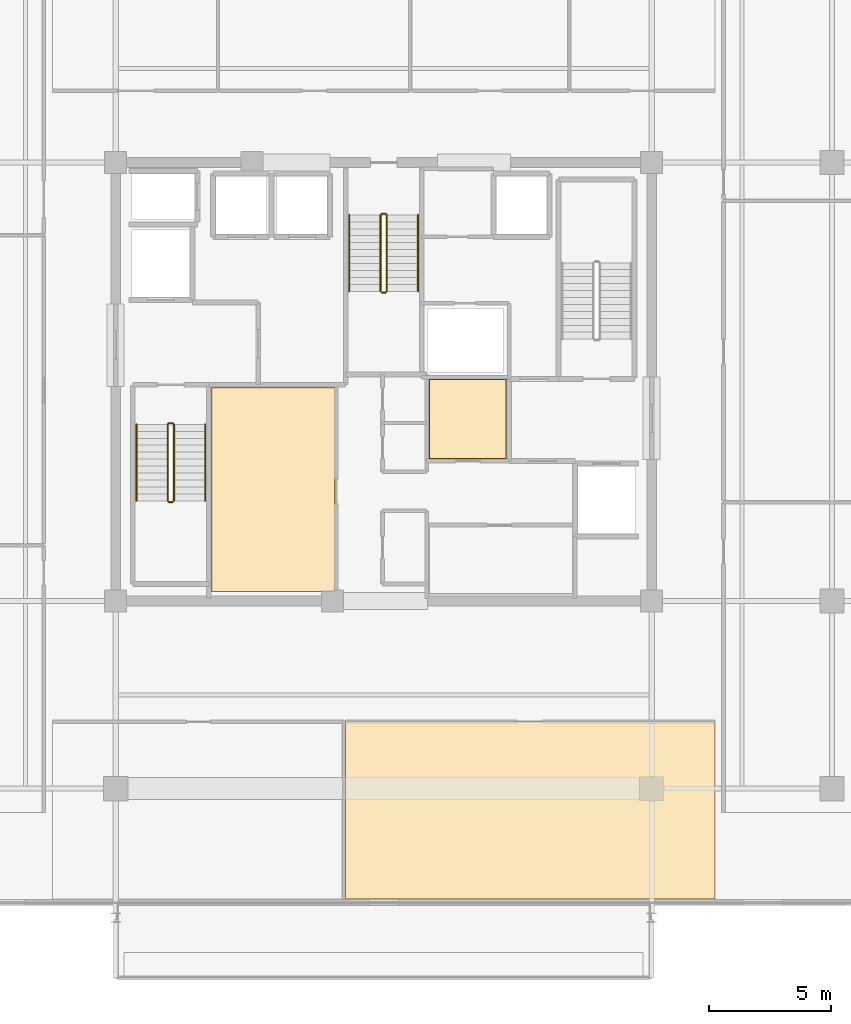
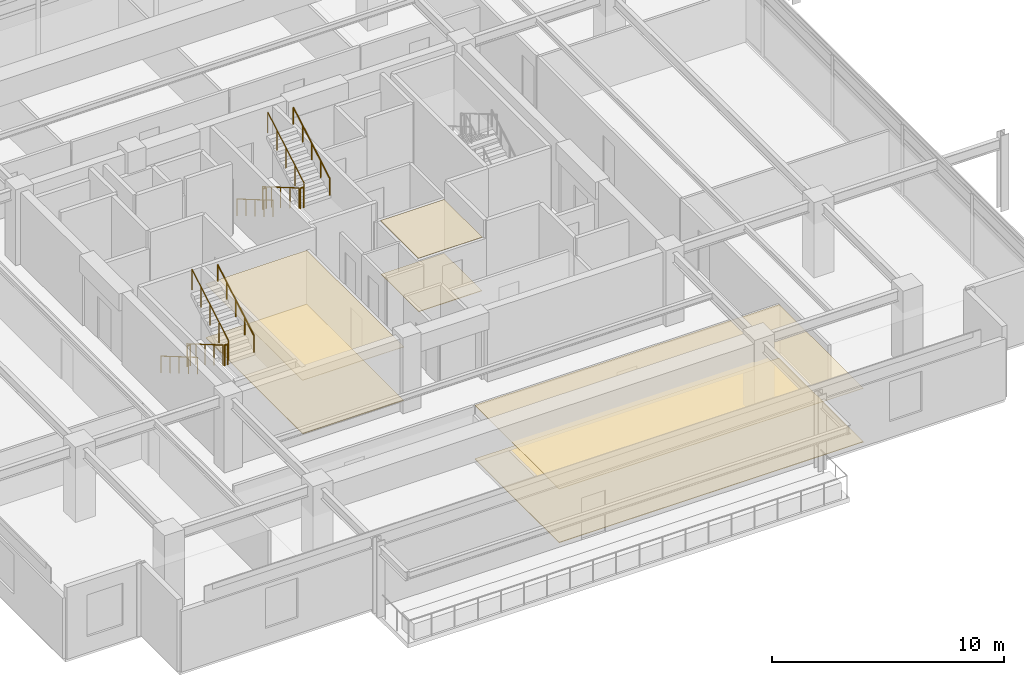
# One storey, part 19 of 21: 12 railings, 6 coverings.
"""IFC4 building model written with IfcOpenShell, lengths in metres."""

from ifc_helpers import new_model, si_unit, direction, frame, origin, origin_2d, place, context, subcontext, project, spatial, polyline, circle, outline, extrude, material, layer, layer_set, type_object, element, save


model = new_model("IFC4")

# Units and contexts
model_context = context("Model", 3, precision=1e-05, world=origin(), true_north=direction((0.0, 1.0)))
body_context = subcontext(model_context, "Body", "Model", "MODEL_VIEW")
ifc_project = project(units=[si_unit("LENGTHUNIT", "METRE"), si_unit("AREAUNIT", "SQUARE_METRE"), si_unit("VOLUMEUNIT", "CUBIC_METRE"), si_unit("PLANEANGLEUNIT", "RADIAN"), si_unit("MASSUNIT", "GRAM", prefix="KILO")], contexts=[model_context])

# Site, building, storey
site_placement = place(None, origin())
site = spatial("IfcSite", under=ifc_project, at=site_placement, CompositionType="ELEMENT")
building_placement = place(site_placement, origin())
building = spatial("IfcBuilding", under=site, at=building_placement, Name="Kovane Verandah Tower", CompositionType="ELEMENT")
storey_placement = place(building_placement, frame((0.0, 0.0, 310.800048828125)))
storey = spatial("IfcBuildingStorey", under=building, at=storey_placement, Name="L72", CompositionType="ELEMENT", Elevation=310.800048828125)

# Coverings
ifc_material_1 = material(Name="Perforated Acoustic Mineral-Fibre Ceiling Tile", Category="gypsum")
ifc_layer_1 = layer(ifc_material_1, 0.02490234375)
ifc_layer_set_1 = layer_set([ifc_layer_1], Name="Perforated Acoustic Mineral-Fibre Ceiling Tile")
covering_type_1 = type_object("IfcCoveringType", Name="CV-CEIL-25", PredefinedType="CEILING", material=ifc_layer_set_1)
covering_1_placement = place(storey_placement, frame((0.0, 0.0, 2.824951171875)))
element("IfcCovering", 1, at=covering_1_placement, inside=storey, type_object=covering_type_1, Name="L72 Tenant Wellness and Archive Suite Acoustic Ceiling", PredefinedType="CEILING", context=body_context, shape_type="SweptSolid", body=[
    extrude(outline(polyline([(32.93505859375, 18.885009765625), (37.9951171875, 18.885009765625), (37.9951171875, 27.264892578125), (32.93505859375, 27.264892578125), (32.93505859375, 18.885009765625)])), origin(), (0.0, 0.0, 1.0), 0.02490234375),
])
covering_2_placement = place(storey_placement, frame((0.0, 0.0, 2.824951171875)))
element("IfcCovering", 2, at=covering_2_placement, inside=storey, type_object=covering_type_1, Name="L72 Document Archive Room Acoustic Ceiling", PredefinedType="CEILING", context=body_context, shape_type="SweptSolid", body=[
    extrude(outline(polyline([(41.864990234375, 24.3349609375), (45.034912109375, 24.3349609375), (45.034912109375, 27.614990234375), (41.864990234375, 27.614990234375), (41.864990234375, 24.3349609375)])), origin(), (0.0, 0.0, 1.0), 0.02490234375),
])
covering_3_placement = place(storey_placement, frame((0.0, 0.0, 2.824951171875)))
element("IfcCovering", 3, at=covering_3_placement, inside=storey, type_object=covering_type_1, Name="L72 Document and Print Room S2 Acoustic Ceiling", PredefinedType="CEILING", context=body_context, shape_type="SweptSolid", body=[
    extrude(outline(polyline([(38.43798828125, 6.27783203125), (53.60009765625, 6.27783203125), (53.60009765625, 13.550048828125), (38.43798828125, 13.550048828125), (38.43798828125, 6.27783203125)])), origin(), (0.0, 0.0, 1.0), 0.02490234375),
])
ifc_material_2 = material(Name="Polished Terrazzo and Raised-Access Carpet Tile Finish", Category="concrete")
ifc_layer_2 = layer(ifc_material_2, 0.030029296875)
ifc_layer_set_2 = layer_set([ifc_layer_2], Name="Polished Terrazzo and Raised-Access Carpet Tile Finish")
covering_type_2 = type_object("IfcCoveringType", Name="CV-FLOR-30", PredefinedType="FLOORING", material=ifc_layer_set_2)
covering_4_placement = place(storey_placement, origin())
element("IfcCovering", 4, at=covering_4_placement, inside=storey, type_object=covering_type_2, Name="L72 Tenant Wellness and Archive Suite Floor Finish", PredefinedType="FLOORING", context=body_context, shape_type="SweptSolid", body=[
    extrude(outline(polyline([(32.949951171875, 18.89990234375), (37.97998046875, 18.89990234375), (37.97998046875, 27.25), (32.949951171875, 27.25), (32.949951171875, 18.89990234375)])), origin(), (0.0, 0.0, 1.0), 0.030029296875),
])
covering_5_placement = place(storey_placement, origin())
element("IfcCovering", 5, at=covering_5_placement, inside=storey, type_object=covering_type_2, Name="L72 Document Archive Room Floor Finish", PredefinedType="FLOORING", context=body_context, shape_type="SweptSolid", body=[
    extrude(outline(polyline([(41.8798828125, 24.35009765625), (45.02001953125, 24.35009765625), (45.02001953125, 27.60009765625), (41.8798828125, 27.60009765625), (41.8798828125, 24.35009765625)])), origin(), (0.0, 0.0, 1.0), 0.030029296875),
])
covering_6_placement = place(storey_placement, origin())
element("IfcCovering", 6, at=covering_6_placement, inside=storey, type_object=covering_type_2, Name="L72 Document and Print Room S2 Floor Finish", PredefinedType="FLOORING", context=body_context, shape_type="SweptSolid", body=[
    extrude(outline(polyline([(38.43798828125, 6.27783203125), (53.60009765625, 6.27783203125), (53.60009765625, 13.550048828125), (38.43798828125, 13.550048828125), (38.43798828125, 6.27783203125)])), origin(), (0.0, 0.0, 1.0), 0.030029296875),
])

# Railings
ifc_material_3 = material(Name="Brushed Stainless Steel Handrail", Category="steel")
railing_type_1 = type_object("IfcRailingType", Name="RL-HAND-920", PredefinedType="HANDRAIL", material=ifc_material_3)
railing_1_placement = place(storey_placement, frame((29.85009765625, 25.75, 0.16650390625)))
element("IfcRailing", 7, at=railing_1_placement, inside=storey, type_object=railing_type_1, Name="L72 ST-01 stair handrail 1", PredefinedType="HANDRAIL", context=body_context, shape_type="SweptSolid", body=[
    extrude(circle(Radius=0.02392578125, at=origin_2d()), frame((0.0, 0.0, 0.8759765625), z_axis=(0.0, -0.863210265497, 0.504844567704), x_axis=(1.0, 0.0, 0.0)), (0.0, 0.0, 1.0), 3.6318359375),
    extrude(circle(Radius=0.02099609375, at=origin_2d()), origin(), (0.0, 0.0, 1.0), 0.851806640625),
    extrude(circle(Radius=0.02099609375, at=origin_2d()), frame((0.0, -0.78369140625, 0.45849609375)), (0.0, 0.0, 1.0), 0.851806640625),
    extrude(circle(Radius=0.02099609375, at=origin_2d()), frame((0.0, -1.5673828125, 0.916748046875)), (0.0, 0.0, 1.0), 0.851806640625),
    extrude(circle(Radius=0.02099609375, at=origin_2d()), frame((0.0, -2.351318359375, 1.375)), (0.0, 0.0, 1.0), 0.851806640625),
    extrude(circle(Radius=0.02099609375, at=origin_2d()), frame((0.0, -3.135009765625, 1.83349609375)), (0.0, 0.0, 1.0), 0.851806640625),
])
railing_2_placement = place(storey_placement, frame((32.669921875, 22.614990234375, 2.16650390625)))
element("IfcRailing", 8, at=railing_2_placement, inside=storey, type_object=railing_type_1, Name="L72 ST-01 stair handrail 2", PredefinedType="HANDRAIL", context=body_context, shape_type="SweptSolid", body=[
    extrude(circle(Radius=0.02392578125, at=origin_2d()), frame((0.0, 0.0, 0.8759765625), z_axis=(0.0, 0.863210265497, 0.504844567704), x_axis=(-1.0, 0.0, 0.0)), (0.0, 0.0, 1.0), 3.6318359375),
    extrude(circle(Radius=0.02099609375, at=origin_2d()), origin(), (0.0, 0.0, 1.0), 0.851806640625),
    extrude(circle(Radius=0.02099609375, at=origin_2d()), frame((0.0, 0.78369140625, 0.45849609375)), (0.0, 0.0, 1.0), 0.851806640625),
    extrude(circle(Radius=0.02099609375, at=origin_2d()), frame((0.0, 1.5673828125, 0.916748046875)), (0.0, 0.0, 1.0), 0.851806640625),
    extrude(circle(Radius=0.02099609375, at=origin_2d()), frame((0.0, 2.351318359375, 1.375)), (0.0, 0.0, 1.0), 0.851806640625),
    extrude(circle(Radius=0.02099609375, at=origin_2d()), frame((0.0, 3.135009765625, 1.83349609375)), (0.0, 0.0, 1.0), 0.851806640625),
])
railing_3_placement = place(storey_placement, frame((38.590087890625, 34.35009765625, 0.16650390625)))
element("IfcRailing", 9, at=railing_3_placement, inside=storey, type_object=railing_type_1, Name="L72 ST-03 stair handrail 1", PredefinedType="HANDRAIL", context=body_context, shape_type="SweptSolid", body=[
    extrude(circle(Radius=0.02392578125, at=origin_2d()), frame((0.0, 0.0, 0.8759765625), z_axis=(0.0, -0.863210265497, 0.504844567704), x_axis=(1.0, 0.0, 0.0)), (0.0, 0.0, 1.0), 3.6318359375),
    extrude(circle(Radius=0.02099609375, at=origin_2d()), origin(), (0.0, 0.0, 1.0), 0.851806640625),
    extrude(circle(Radius=0.02099609375, at=origin_2d()), frame((0.0, -0.78369140625, 0.45849609375)), (0.0, 0.0, 1.0), 0.851806640625),
    extrude(circle(Radius=0.02099609375, at=origin_2d()), frame((0.0, -1.5673828125, 0.916748046875)), (0.0, 0.0, 1.0), 0.851806640625),
    extrude(circle(Radius=0.02099609375, at=origin_2d()), frame((0.0, -2.351318359375, 1.375)), (0.0, 0.0, 1.0), 0.851806640625),
    extrude(circle(Radius=0.02099609375, at=origin_2d()), frame((0.0, -3.135009765625, 1.83349609375)), (0.0, 0.0, 1.0), 0.851806640625),
])
railing_4_placement = place(storey_placement, frame((41.409912109375, 31.215087890625, 2.16650390625)))
element("IfcRailing", 10, at=railing_4_placement, inside=storey, type_object=railing_type_1, Name="L72 ST-03 stair handrail 2", PredefinedType="HANDRAIL", context=body_context, shape_type="SweptSolid", body=[
    extrude(circle(Radius=0.02392578125, at=origin_2d()), frame((0.0, 0.0, 0.8759765625), z_axis=(0.0, 0.863210265497, 0.504844567704), x_axis=(-1.0, 0.0, 0.0)), (0.0, 0.0, 1.0), 3.6318359375),
    extrude(circle(Radius=0.02099609375, at=origin_2d()), origin(), (0.0, 0.0, 1.0), 0.851806640625),
    extrude(circle(Radius=0.02099609375, at=origin_2d()), frame((0.0, 0.78369140625, 0.45849609375)), (0.0, 0.0, 1.0), 0.851806640625),
    extrude(circle(Radius=0.02099609375, at=origin_2d()), frame((0.0, 1.5673828125, 0.916748046875)), (0.0, 0.0, 1.0), 0.851806640625),
    extrude(circle(Radius=0.02099609375, at=origin_2d()), frame((0.0, 2.351318359375, 1.375)), (0.0, 0.0, 1.0), 0.851806640625),
    extrude(circle(Radius=0.02099609375, at=origin_2d()), frame((0.0, 3.135009765625, 1.83349609375)), (0.0, 0.0, 1.0), 0.851806640625),
])
ifc_material_4 = material(Name="Painted Steel Stairwell Guardrail", Category="steel")
railing_type_2 = type_object("IfcRailingType", Name="RL-STGUARD-1120", PredefinedType="GUARDRAIL", material=ifc_material_4)
railing_5_placement = place(storey_placement, frame((31.1298828125, 25.75, 0.16650390625)))
element("IfcRailing", 11, at=railing_5_placement, inside=storey, type_object=railing_type_2, Name="L72 ST-01 stair guard 1", PredefinedType="GUARDRAIL", context=body_context, shape_type="SweptSolid", body=[
    extrude(circle(Radius=0.02392578125, at=origin_2d()), frame((0.0, 0.0, 1.076171875), z_axis=(0.0, -0.863210265497, 0.504844567704), x_axis=(1.0, 0.0, 0.0)), (0.0, 0.0, 1.0), 3.6318359375),
    extrude(circle(Radius=0.02099609375, at=origin_2d()), origin(), (0.0, 0.0, 1.0), 1.052001953125),
    extrude(circle(Radius=0.02099609375, at=origin_2d()), frame((0.0, -0.78369140625, 0.45849609375)), (0.0, 0.0, 1.0), 1.052001953125),
    extrude(circle(Radius=0.02099609375, at=origin_2d()), frame((0.0, -1.5673828125, 0.916748046875)), (0.0, 0.0, 1.0), 1.052001953125),
    extrude(circle(Radius=0.02099609375, at=origin_2d()), frame((0.0, -2.351318359375, 1.375)), (0.0, 0.0, 1.0), 1.052001953125),
    extrude(circle(Radius=0.02099609375, at=origin_2d()), frame((0.0, -3.135009765625, 1.83349609375)), (0.0, 0.0, 1.0), 1.052001953125),
])
railing_6_placement = place(storey_placement, frame((31.179931640625, 22.56494140625, 2.0)))
element("IfcRailing", 12, at=railing_6_placement, inside=storey, type_object=railing_type_2, Name="L72 ST-01 stair guard 2", PredefinedType="GUARDRAIL", context=body_context, shape_type="SweptSolid", body=[
    extrude(circle(Radius=0.02392578125, at=origin_2d()), frame((0.0, 0.0, 1.076171875), z_axis=(1.0, 0.0, 0.0), x_axis=(0.0, 1.0, 0.0)), (0.0, 0.0, 1.0), 0.16015625),
    extrude(circle(Radius=0.02099609375, at=origin_2d()), origin(), (0.0, 0.0, 1.0), 1.052001953125),
    extrude(circle(Radius=0.02099609375, at=origin_2d()), frame((0.16015625, 0.0, 0.0)), (0.0, 0.0, 1.0), 1.052001953125),
])
railing_7_placement = place(storey_placement, frame((31.389892578125, 22.614990234375, 2.16650390625)))
element("IfcRailing", 13, at=railing_7_placement, inside=storey, type_object=railing_type_2, Name="L72 ST-01 stair guard 3", PredefinedType="GUARDRAIL", context=body_context, shape_type="SweptSolid", body=[
    extrude(circle(Radius=0.02392578125, at=origin_2d()), frame((0.0, 0.0, 1.076171875), z_axis=(0.0, 0.863210265497, 0.504844567704), x_axis=(-1.0, 0.0, 0.0)), (0.0, 0.0, 1.0), 3.6318359375),
    extrude(circle(Radius=0.02099609375, at=origin_2d()), origin(), (0.0, 0.0, 1.0), 1.052001953125),
    extrude(circle(Radius=0.02099609375, at=origin_2d()), frame((0.0, 0.78369140625, 0.45849609375)), (0.0, 0.0, 1.0), 1.052001953125),
    extrude(circle(Radius=0.02099609375, at=origin_2d()), frame((0.0, 1.5673828125, 0.916748046875)), (0.0, 0.0, 1.0), 1.052001953125),
    extrude(circle(Radius=0.02099609375, at=origin_2d()), frame((0.0, 2.351318359375, 1.375)), (0.0, 0.0, 1.0), 1.052001953125),
    extrude(circle(Radius=0.02099609375, at=origin_2d()), frame((0.0, 3.135009765625, 1.83349609375)), (0.0, 0.0, 1.0), 1.052001953125),
])
railing_8_placement = place(storey_placement, frame((31.179931640625, 25.800048828125, 0.0)))
element("IfcRailing", 14, at=railing_8_placement, inside=storey, type_object=railing_type_2, Name="L72 ST-01 stair guard 4", PredefinedType="GUARDRAIL", context=body_context, shape_type="SweptSolid", body=[
    extrude(circle(Radius=0.02392578125, at=origin_2d()), frame((0.0, 0.0, 1.076171875), z_axis=(1.0, 0.0, 0.0), x_axis=(0.0, 1.0, 0.0)), (0.0, 0.0, 1.0), 0.16015625),
    extrude(circle(Radius=0.02099609375, at=origin_2d()), origin(), (0.0, 0.0, 1.0), 1.052001953125),
    extrude(circle(Radius=0.02099609375, at=origin_2d()), frame((0.16015625, 0.0, 0.0)), (0.0, 0.0, 1.0), 1.052001953125),
])
railing_9_placement = place(storey_placement, frame((39.8701171875, 34.35009765625, 0.16650390625)))
element("IfcRailing", 15, at=railing_9_placement, inside=storey, type_object=railing_type_2, Name="L72 ST-03 stair guard 1", PredefinedType="GUARDRAIL", context=body_context, shape_type="SweptSolid", body=[
    extrude(circle(Radius=0.02392578125, at=origin_2d()), frame((0.0, 0.0, 1.076171875), z_axis=(0.0, -0.863210265497, 0.504844567704), x_axis=(1.0, 0.0, 0.0)), (0.0, 0.0, 1.0), 3.6318359375),
    extrude(circle(Radius=0.02099609375, at=origin_2d()), origin(), (0.0, 0.0, 1.0), 1.052001953125),
    extrude(circle(Radius=0.02099609375, at=origin_2d()), frame((0.0, -0.78369140625, 0.45849609375)), (0.0, 0.0, 1.0), 1.052001953125),
    extrude(circle(Radius=0.02099609375, at=origin_2d()), frame((0.0, -1.5673828125, 0.916748046875)), (0.0, 0.0, 1.0), 1.052001953125),
    extrude(circle(Radius=0.02099609375, at=origin_2d()), frame((0.0, -2.351318359375, 1.375)), (0.0, 0.0, 1.0), 1.052001953125),
    extrude(circle(Radius=0.02099609375, at=origin_2d()), frame((0.0, -3.135009765625, 1.83349609375)), (0.0, 0.0, 1.0), 1.052001953125),
])
railing_10_placement = place(storey_placement, frame((39.919921875, 31.1650390625, 2.0)))
element("IfcRailing", 16, at=railing_10_placement, inside=storey, type_object=railing_type_2, Name="L72 ST-03 stair guard 2", PredefinedType="GUARDRAIL", context=body_context, shape_type="SweptSolid", body=[
    extrude(circle(Radius=0.02392578125, at=origin_2d()), frame((0.0, 0.0, 1.076171875), z_axis=(1.0, 0.0, 0.0), x_axis=(0.0, 1.0, 0.0)), (0.0, 0.0, 1.0), 0.16015625),
    extrude(circle(Radius=0.02099609375, at=origin_2d()), origin(), (0.0, 0.0, 1.0), 1.052001953125),
    extrude(circle(Radius=0.02099609375, at=origin_2d()), frame((0.16015625, 0.0, 0.0)), (0.0, 0.0, 1.0), 1.052001953125),
])
railing_11_placement = place(storey_placement, frame((40.1298828125, 31.215087890625, 2.16650390625)))
element("IfcRailing", 17, at=railing_11_placement, inside=storey, type_object=railing_type_2, Name="L72 ST-03 stair guard 3", PredefinedType="GUARDRAIL", context=body_context, shape_type="SweptSolid", body=[
    extrude(circle(Radius=0.02392578125, at=origin_2d()), frame((0.0, 0.0, 1.076171875), z_axis=(0.0, 0.863210265497, 0.504844567704), x_axis=(-1.0, 0.0, 0.0)), (0.0, 0.0, 1.0), 3.6318359375),
    extrude(circle(Radius=0.02099609375, at=origin_2d()), origin(), (0.0, 0.0, 1.0), 1.052001953125),
    extrude(circle(Radius=0.02099609375, at=origin_2d()), frame((0.0, 0.78369140625, 0.45849609375)), (0.0, 0.0, 1.0), 1.052001953125),
    extrude(circle(Radius=0.02099609375, at=origin_2d()), frame((0.0, 1.5673828125, 0.916748046875)), (0.0, 0.0, 1.0), 1.052001953125),
    extrude(circle(Radius=0.02099609375, at=origin_2d()), frame((0.0, 2.351318359375, 1.375)), (0.0, 0.0, 1.0), 1.052001953125),
    extrude(circle(Radius=0.02099609375, at=origin_2d()), frame((0.0, 3.135009765625, 1.83349609375)), (0.0, 0.0, 1.0), 1.052001953125),
])
railing_12_placement = place(storey_placement, frame((39.919921875, 34.39990234375, 0.0)))
element("IfcRailing", 18, at=railing_12_placement, inside=storey, type_object=railing_type_2, Name="L72 ST-03 stair guard 4", PredefinedType="GUARDRAIL", context=body_context, shape_type="SweptSolid", body=[
    extrude(circle(Radius=0.02392578125, at=origin_2d()), frame((0.0, 0.0, 1.076171875), z_axis=(1.0, 0.0, 0.0), x_axis=(0.0, 1.0, 0.0)), (0.0, 0.0, 1.0), 0.16015625),
    extrude(circle(Radius=0.02099609375, at=origin_2d()), origin(), (0.0, 0.0, 1.0), 1.052001953125),
    extrude(circle(Radius=0.02099609375, at=origin_2d()), frame((0.16015625, 0.0, 0.0)), (0.0, 0.0, 1.0), 1.052001953125),
])

save(model, "model.ifc")
